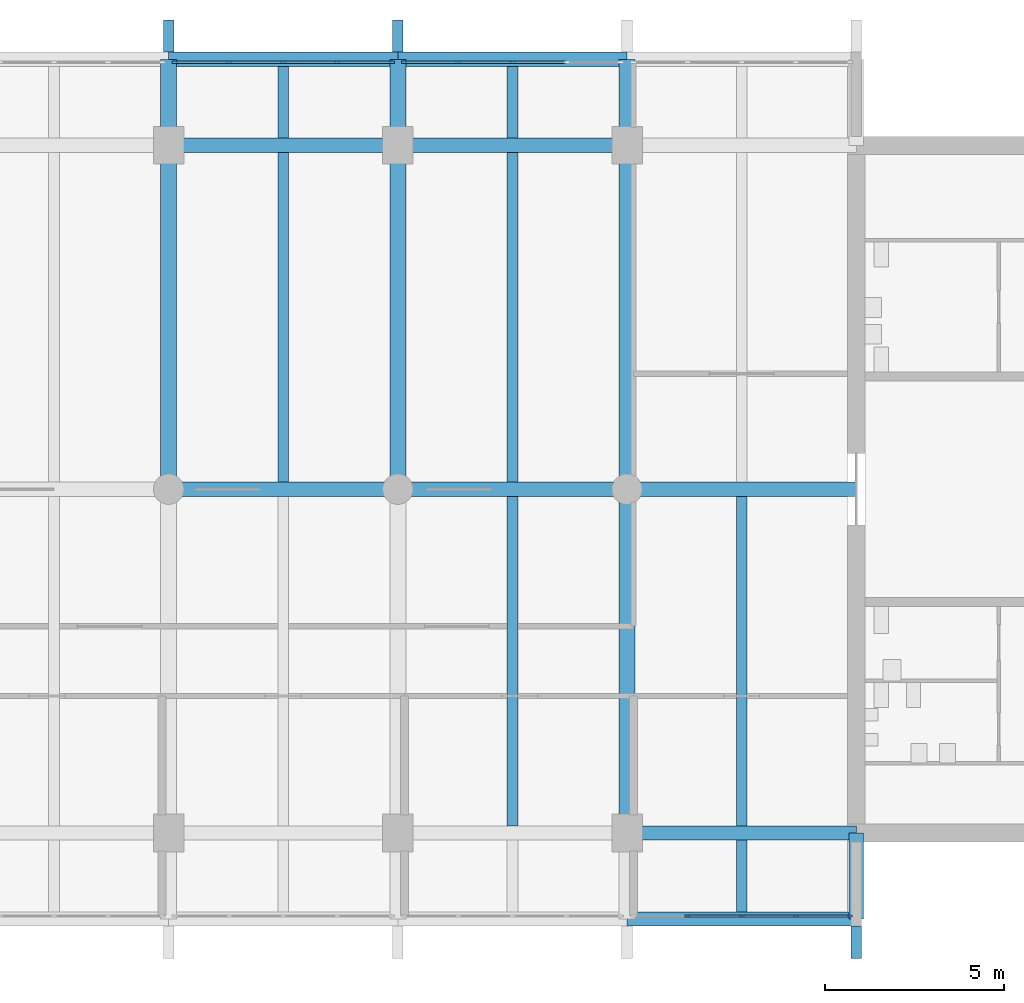
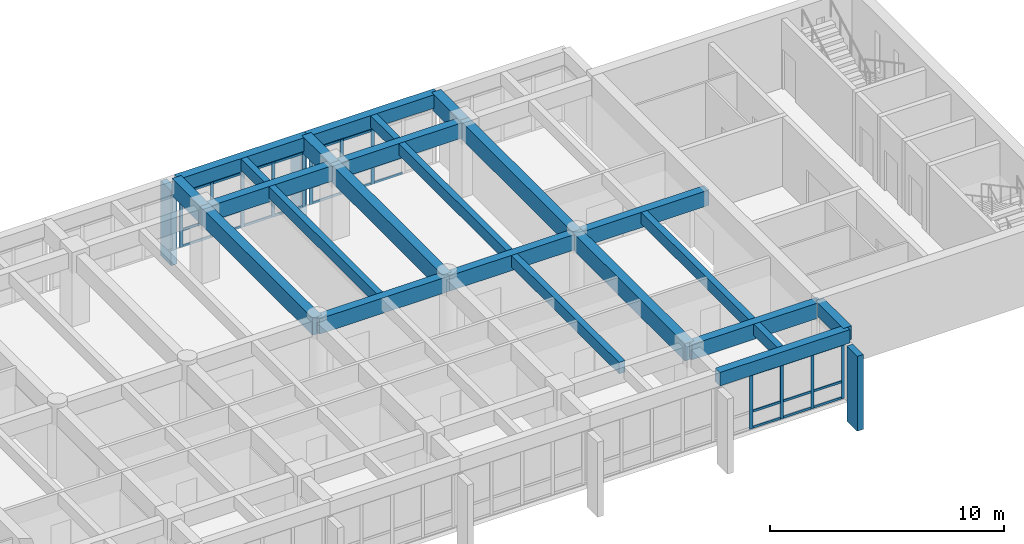
# One storey, part 5 of 15: 44 members, 24 beams, 3 elements without a shape of their own.
"""IFC4 building model written with IfcOpenShell, lengths in metres."""

from ifc_helpers import new_model, si_unit, direction, frame, origin, origin_2d, place, context, subcontext, project, spatial, rectangle, extrude, material, layer, layer_set, material_profile, profile_set, type_object, element, aggregate, save


model = new_model("IFC4")

# Units and contexts
model_context = context("Model", 3, precision=1e-05, world=origin(), true_north=direction((0.0, 1.0)))
body_context = subcontext(model_context, "Body", "Model", "MODEL_VIEW")
ifc_project = project(units=[si_unit("LENGTHUNIT", "METRE"), si_unit("AREAUNIT", "SQUARE_METRE"), si_unit("VOLUMEUNIT", "CUBIC_METRE"), si_unit("PLANEANGLEUNIT", "RADIAN"), si_unit("MASSUNIT", "GRAM", prefix="KILO")], contexts=[model_context])

# Site, building, storey
site_placement = place(None, origin())
site = spatial("IfcSite", under=ifc_project, at=site_placement, CompositionType="ELEMENT")
building_placement = place(site_placement, origin())
building = spatial("IfcBuilding", under=site, at=building_placement, Name="Fogon Plaza Fire Station and Headquarters Tower", CompositionType="ELEMENT")
storey_placement = place(building_placement, frame((0.0, 0.0, 56.10009765625)))
storey = spatial("IfcBuildingStorey", under=building, at=storey_placement, Name="L14", CompositionType="ELEMENT", Elevation=56.10009765625)

# Beams
ifc_material_1 = material(Name="Concrete C40", Category="concrete")
ifc_material_profile_1 = material_profile(ifc_material_1, rectangle(XDim=0.39990234375, YDim=0.699951171875, at=origin_2d()), Name="RC 400x700")
ifc_profile_set_1 = profile_set([ifc_material_profile_1], Name="Concrete C40")
beam_type_1 = type_object("IfcBeamType", Name="BEAM RC 400x700", PredefinedType="BEAM", material=ifc_profile_set_1)
for number, where, z_axis, x_axis, name in (
    (1, (57.60009765625, 31.199951171875, 3.329833984375), (1.0, 0.0, 0.0), (0.0, 1.0, 0.0), "beam-L14-044"),
    (2, (44.800048828125, 55.199951171875, 3.329833984375), (1.0, 0.0, 0.0), (0.0, 1.0, 0.0), "beam-L14-048"),
):
    element("IfcBeam", number, at=place(storey_placement, frame(where, z_axis=z_axis, x_axis=x_axis)), inside=storey, type_object=beam_type_1, Name=name, PredefinedType="BEAM", context=body_context, shape_type="SweptSolid", body=[
        extrude(rectangle(XDim=0.39990234375, YDim=0.699951171875, at=origin_2d()), origin(), (0.0, 0.0, 1.0), 6.39990234375),
    ])
beam_1_placement = place(storey_placement, frame((51.199951171875, 55.199951171875, 3.329833984375), z_axis=(1.0, 0.0, 0.0), x_axis=(0.0, 1.0, 0.0)))
element("IfcBeam", 3, at=beam_1_placement, inside=storey, type_object=beam_type_1, Name="beam-L14-049", PredefinedType="BEAM", context=body_context, shape_type="SweptSolid", body=[
    extrude(rectangle(XDim=0.39990234375, YDim=0.699951171875, at=origin_2d()), origin(), (0.0, 0.0, 1.0), 6.400146484375),
])
ifc_material_2 = material(Name="Concrete C40", Category="concrete")
ifc_material_profile_2 = material_profile(ifc_material_2, rectangle(XDim=0.39990234375, YDim=0.699951171875, at=origin_2d()), Name="RC 400x700")
ifc_profile_set_2 = profile_set([ifc_material_profile_2], Name="Concrete C40")
beam_type_2 = type_object("IfcBeamType", Name="BEAM RC 400x700 SPAN 0.0 TO 3.0 M", PredefinedType="BEAM", material=ifc_profile_set_2)
beam_2_placement = place(storey_placement, frame((64.0, 31.199951171875, 3.329833984375), z_axis=(0.0, 1.0, 0.0), x_axis=(-1.0, 0.0, 0.0)))
element("IfcBeam", 4, at=beam_2_placement, inside=storey, type_object=beam_type_2, Name="beam-L14-053", PredefinedType="BEAM", context=body_context, shape_type="SweptSolid", body=[
    extrude(rectangle(XDim=0.39990234375, YDim=0.699951171875, at=origin_2d()), origin(), (0.0, 0.0, 1.0), 2.400146484375),
])
ifc_material_3 = material(Name="Concrete C40", Category="concrete")
ifc_material_profile_3 = material_profile(ifc_material_3, rectangle(XDim=0.39990234375, YDim=0.800048828125, at=origin_2d()), Name="RC 400x800")
ifc_profile_set_3 = profile_set([ifc_material_profile_3], Name="Concrete C40")
beam_type_3 = type_object("IfcBeamType", Name="BEAM RC 400x800", PredefinedType="BEAM", material=ifc_profile_set_3)
for number, where, z_axis, x_axis, name in (
    (5, (57.60009765625, 33.60009765625, 3.27978515625), (1.0, 0.0, 0.0), (0.0, 1.0, 0.0), "beam-L14-026"),
    (6, (44.800048828125, 43.199951171875, 3.27978515625), (1.0, 0.0, 0.0), (0.0, 1.0, 0.0), "beam-L14-030"),
):
    element("IfcBeam", number, at=place(storey_placement, frame(where, z_axis=z_axis, x_axis=x_axis)), inside=storey, type_object=beam_type_3, Name=name, PredefinedType="BEAM", context=body_context, shape_type="SweptSolid", body=[
        extrude(rectangle(XDim=0.39990234375, YDim=0.800048828125, at=origin_2d()), origin(), (0.0, 0.0, 1.0), 6.39990234375),
    ])
beam_3_placement = place(storey_placement, frame((51.199951171875, 43.199951171875, 3.27978515625), z_axis=(1.0, 0.0, 0.0), x_axis=(0.0, 1.0, 0.0)))
element("IfcBeam", 7, at=beam_3_placement, inside=storey, type_object=beam_type_3, Name="beam-L14-031", PredefinedType="BEAM", context=body_context, shape_type="SweptSolid", body=[
    extrude(rectangle(XDim=0.39990234375, YDim=0.800048828125, at=origin_2d()), origin(), (0.0, 0.0, 1.0), 6.400146484375),
])
for number, where, z_axis, x_axis, name in (
    (8, (57.60009765625, 43.199951171875, 3.27978515625), (1.0, 0.0, 0.0), (0.0, 1.0, 0.0), "beam-L14-032"),
    (9, (44.800048828125, 52.800048828125, 3.27978515625), (1.0, 0.0, 0.0), (0.0, 1.0, 0.0), "beam-L14-036"),
):
    element("IfcBeam", number, at=place(storey_placement, frame(where, z_axis=z_axis, x_axis=x_axis)), inside=storey, type_object=beam_type_3, Name=name, PredefinedType="BEAM", context=body_context, shape_type="SweptSolid", body=[
        extrude(rectangle(XDim=0.39990234375, YDim=0.800048828125, at=origin_2d()), origin(), (0.0, 0.0, 1.0), 6.39990234375),
    ])
beam_4_placement = place(storey_placement, frame((51.199951171875, 52.800048828125, 3.27978515625), z_axis=(1.0, 0.0, 0.0), x_axis=(0.0, 1.0, 0.0)))
element("IfcBeam", 10, at=beam_4_placement, inside=storey, type_object=beam_type_3, Name="beam-L14-037", PredefinedType="BEAM", context=body_context, shape_type="SweptSolid", body=[
    extrude(rectangle(XDim=0.39990234375, YDim=0.800048828125, at=origin_2d()), origin(), (0.0, 0.0, 1.0), 6.400146484375),
])
ifc_material_4 = material(Name="Concrete C40", Category="concrete")
ifc_material_profile_4 = material_profile(ifc_material_4, rectangle(XDim=0.449951171875, YDim=0.89990234375, at=origin_2d()), Name="RC 450x900")
ifc_profile_set_4 = profile_set([ifc_material_profile_4], Name="Concrete C40")
beam_type_4 = type_object("IfcBeamType", Name="BEAM RC 450x900", PredefinedType="BEAM", material=ifc_profile_set_4)
for number, where, z_axis, x_axis, name in (
    (11, (44.800048828125, 43.199951171875, 3.22998046875), (0.0, 1.0, 0.0), (-1.0, 0.0, 0.0), "beam-L14-011"),
    (12, (51.199951171875, 43.199951171875, 3.22998046875), (0.0, 1.0, 0.0), (-1.0, 0.0, 0.0), "beam-L14-015"),
):
    element("IfcBeam", number, at=place(storey_placement, frame(where, z_axis=z_axis, x_axis=x_axis)), inside=storey, type_object=beam_type_4, Name=name, PredefinedType="BEAM", context=body_context, shape_type="SweptSolid", body=[
        extrude(rectangle(XDim=0.449951171875, YDim=0.89990234375, at=origin_2d()), origin(), (0.0, 0.0, 1.0), 9.60009765625),
    ])
beam_5_placement = place(storey_placement, frame((57.60009765625, 33.60009765625, 3.22998046875), z_axis=(0.0, 1.0, 0.0), x_axis=(-1.0, 0.0, 0.0)))
element("IfcBeam", 13, at=beam_5_placement, inside=storey, type_object=beam_type_4, Name="beam-L14-018", PredefinedType="BEAM", context=body_context, shape_type="SweptSolid", body=[
    extrude(rectangle(XDim=0.449951171875, YDim=0.89990234375, at=origin_2d()), origin(), (0.0, 0.0, 1.0), 9.599853515625),
])
beam_6_placement = place(storey_placement, frame((57.60009765625, 43.199951171875, 3.22998046875), z_axis=(0.0, 1.0, 0.0), x_axis=(-1.0, 0.0, 0.0)))
element("IfcBeam", 14, at=beam_6_placement, inside=storey, type_object=beam_type_4, Name="beam-L14-019", PredefinedType="BEAM", context=body_context, shape_type="SweptSolid", body=[
    extrude(rectangle(XDim=0.449951171875, YDim=0.89990234375, at=origin_2d()), origin(), (0.0, 0.0, 1.0), 9.60009765625),
])
ifc_material_5 = material(Name="Concrete C40", Category="concrete")
ifc_material_profile_5 = material_profile(ifc_material_5, rectangle(XDim=0.449951171875, YDim=0.89990234375, at=origin_2d()), Name="RC 450x900")
ifc_profile_set_5 = profile_set([ifc_material_profile_5], Name="Concrete C40")
beam_type_5 = type_object("IfcBeamType", Name="BEAM RC 450x900 SPAN 0.0 TO 3.0 M", PredefinedType="BEAM", material=ifc_profile_set_5)
for number, where, z_axis, x_axis, name in (
    (15, (44.800048828125, 52.800048828125, 3.22998046875), (0.0, 1.0, 0.0), (-1.0, 0.0, 0.0), "beam-L14-012"),
    (16, (51.199951171875, 52.800048828125, 3.22998046875), (0.0, 1.0, 0.0), (-1.0, 0.0, 0.0), "beam-L14-016"),
    (17, (57.60009765625, 52.800048828125, 3.22998046875), (0.0, 1.0, 0.0), (-1.0, 0.0, 0.0), "beam-L14-020"),
):
    element("IfcBeam", number, at=place(storey_placement, frame(where, z_axis=z_axis, x_axis=x_axis)), inside=storey, type_object=beam_type_5, Name=name, PredefinedType="BEAM", context=body_context, shape_type="SweptSolid", body=[
        extrude(rectangle(XDim=0.449951171875, YDim=0.89990234375, at=origin_2d()), origin(), (0.0, 0.0, 1.0), 2.39990234375),
    ])

# Curtain wall, members
ifc_material_6 = material(Name="Aluminium and glass", Category="aluminium")
ifc_layer = layer(ifc_material_6, 0.14990234375)
ifc_layer_set = layer_set([ifc_layer], Name="Aluminium and glass")
curtain_wall_type = type_object("IfcCurtainWallType", Name="Unitised Curtain Wall Run 6100x2880", PredefinedType="NOTDEFINED", material=ifc_layer_set)
curtain_wall_1_placement = place(storey_placement, origin())
curtain_wall_1 = element("IfcCurtainWall", 18, at=curtain_wall_1_placement, inside=storey, type_object=curtain_wall_type, Name="CW-6100x2880 S6 L14", PredefinedType="NOTDEFINED")
ifc_material_7 = material(Name="Aluminium", Category="aluminium")
ifc_material_profile_6 = material_profile(ifc_material_7, rectangle(XDim=0.06005859375, YDim=0.159912109375, at=origin_2d()), Name="Curtain Wall Mullion 60x160")
ifc_profile_set_6 = profile_set([ifc_material_profile_6], Name="Aluminium")
member_type_1 = type_object("IfcMemberType", Name="Curtain Wall Mullion 60x160", PredefinedType="MULLION", material=ifc_profile_set_6)
member_1_placement = place(storey_placement, frame((59.2900390625, 31.280029296875, 0.0), z_axis=(0.0, 0.0, 1.0), x_axis=(0.0, 1.0, 0.0)))
member_1 = element("IfcMember", 19, at=member_1_placement, type_object=member_type_1, Name="CW-6100x2880 mullion 2", PredefinedType="MULLION", context=body_context, shape_type="SweptSolid", body=[
    extrude(rectangle(XDim=0.06005859375, YDim=0.159912109375, at=origin_2d()), origin(), (0.0, 0.0, 1.0), 2.8798828125),
])
member_2_placement = place(storey_placement, frame((60.800048828125, 31.280029296875, 0.0), z_axis=(0.0, 0.0, 1.0), x_axis=(0.0, 1.0, 0.0)))
member_2 = element("IfcMember", 20, at=member_2_placement, type_object=member_type_1, Name="CW-6100x2880 mullion 3", PredefinedType="MULLION", context=body_context, shape_type="SweptSolid", body=[
    extrude(rectangle(XDim=0.06005859375, YDim=0.159912109375, at=origin_2d()), origin(), (0.0, 0.0, 1.0), 2.8798828125),
])
member_3_placement = place(storey_placement, frame((62.31005859375, 31.280029296875, 0.0), z_axis=(0.0, 0.0, 1.0), x_axis=(0.0, 1.0, 0.0)))
member_3 = element("IfcMember", 21, at=member_3_placement, type_object=member_type_1, Name="CW-6100x2880 mullion 4", PredefinedType="MULLION", context=body_context, shape_type="SweptSolid", body=[
    extrude(rectangle(XDim=0.06005859375, YDim=0.159912109375, at=origin_2d()), origin(), (0.0, 0.0, 1.0), 2.8798828125),
])
member_4_placement = place(storey_placement, frame((63.820068359375, 31.280029296875, 0.0), z_axis=(0.0, 0.0, 1.0), x_axis=(0.0, 1.0, 0.0)))
member_4 = element("IfcMember", 22, at=member_4_placement, type_object=member_type_1, Name="CW-6100x2880 mullion 5", PredefinedType="MULLION", context=body_context, shape_type="SweptSolid", body=[
    extrude(rectangle(XDim=0.06005859375, YDim=0.159912109375, at=origin_2d()), origin(), (0.0, 0.0, 1.0), 2.8798828125),
])

curtain_wall_2_placement = place(storey_placement, origin())
curtain_wall_2 = element("IfcCurtainWall", 23, at=curtain_wall_2_placement, inside=storey, type_object=curtain_wall_type, Name="CW-6100x2880 N4 L14", PredefinedType="NOTDEFINED")
member_5_placement = place(storey_placement, frame((44.97998046875, 55.1201171875, 0.0), z_axis=(0.0, 0.0, 1.0), x_axis=(0.0, 1.0, 0.0)))
member_5 = element("IfcMember", 24, at=member_5_placement, type_object=member_type_1, Name="CW-6100x2880 mullion 1", PredefinedType="MULLION", context=body_context, shape_type="SweptSolid", body=[
    extrude(rectangle(XDim=0.06005859375, YDim=0.159912109375, at=origin_2d()), origin(), (0.0, 0.0, 1.0), 2.8798828125),
])
member_6_placement = place(storey_placement, frame((46.489990234375, 55.1201171875, 0.0), z_axis=(0.0, 0.0, 1.0), x_axis=(0.0, 1.0, 0.0)))
member_6 = element("IfcMember", 25, at=member_6_placement, type_object=member_type_1, Name="CW-6100x2880 mullion 2", PredefinedType="MULLION", context=body_context, shape_type="SweptSolid", body=[
    extrude(rectangle(XDim=0.06005859375, YDim=0.159912109375, at=origin_2d()), origin(), (0.0, 0.0, 1.0), 2.8798828125),
])
member_7_placement = place(storey_placement, frame((48.0, 55.1201171875, 0.0), z_axis=(0.0, 0.0, 1.0), x_axis=(0.0, 1.0, 0.0)))
member_7 = element("IfcMember", 26, at=member_7_placement, type_object=member_type_1, Name="CW-6100x2880 mullion 3", PredefinedType="MULLION", context=body_context, shape_type="SweptSolid", body=[
    extrude(rectangle(XDim=0.06005859375, YDim=0.159912109375, at=origin_2d()), origin(), (0.0, 0.0, 1.0), 2.8798828125),
])
member_8_placement = place(storey_placement, frame((49.510009765625, 55.1201171875, 0.0), z_axis=(0.0, 0.0, 1.0), x_axis=(0.0, 1.0, 0.0)))
member_8 = element("IfcMember", 27, at=member_8_placement, type_object=member_type_1, Name="CW-6100x2880 mullion 4", PredefinedType="MULLION", context=body_context, shape_type="SweptSolid", body=[
    extrude(rectangle(XDim=0.06005859375, YDim=0.159912109375, at=origin_2d()), origin(), (0.0, 0.0, 1.0), 2.8798828125),
])
member_9_placement = place(storey_placement, frame((51.02001953125, 55.1201171875, 0.0), z_axis=(0.0, 0.0, 1.0), x_axis=(0.0, 1.0, 0.0)))
member_9 = element("IfcMember", 28, at=member_9_placement, type_object=member_type_1, Name="CW-6100x2880 mullion 5", PredefinedType="MULLION", context=body_context, shape_type="SweptSolid", body=[
    extrude(rectangle(XDim=0.06005859375, YDim=0.159912109375, at=origin_2d()), origin(), (0.0, 0.0, 1.0), 2.8798828125),
])

curtain_wall_3_placement = place(storey_placement, origin())
curtain_wall_3 = element("IfcCurtainWall", 29, at=curtain_wall_3_placement, inside=storey, type_object=curtain_wall_type, Name="CW-6100x2880 N5 L14", PredefinedType="NOTDEFINED")
member_10_placement = place(storey_placement, frame((51.3798828125, 55.1201171875, 0.0), z_axis=(0.0, 0.0, 1.0), x_axis=(0.0, 1.0, 0.0)))
member_10 = element("IfcMember", 30, at=member_10_placement, type_object=member_type_1, Name="CW-6100x2880 mullion 1", PredefinedType="MULLION", context=body_context, shape_type="SweptSolid", body=[
    extrude(rectangle(XDim=0.06005859375, YDim=0.159912109375, at=origin_2d()), origin(), (0.0, 0.0, 1.0), 2.8798828125),
])
member_11_placement = place(storey_placement, frame((52.889892578125, 55.1201171875, 0.0), z_axis=(0.0, 0.0, 1.0), x_axis=(0.0, 1.0, 0.0)))
member_11 = element("IfcMember", 31, at=member_11_placement, type_object=member_type_1, Name="CW-6100x2880 mullion 2", PredefinedType="MULLION", context=body_context, shape_type="SweptSolid", body=[
    extrude(rectangle(XDim=0.06005859375, YDim=0.159912109375, at=origin_2d()), origin(), (0.0, 0.0, 1.0), 2.8798828125),
])
member_12_placement = place(storey_placement, frame((54.39990234375, 55.1201171875, 0.0), z_axis=(0.0, 0.0, 1.0), x_axis=(0.0, 1.0, 0.0)))
member_12 = element("IfcMember", 32, at=member_12_placement, type_object=member_type_1, Name="CW-6100x2880 mullion 3", PredefinedType="MULLION", context=body_context, shape_type="SweptSolid", body=[
    extrude(rectangle(XDim=0.06005859375, YDim=0.159912109375, at=origin_2d()), origin(), (0.0, 0.0, 1.0), 2.8798828125),
])

# Member
ifc_material_8 = material(Name="Aluminium", Category="aluminium")
ifc_material_profile_7 = material_profile(ifc_material_8, rectangle(XDim=0.06005859375, YDim=0.1201171875, at=origin_2d()), Name="Curtain Wall Transom 60x120")
ifc_profile_set_7 = profile_set([ifc_material_profile_7], Name="Aluminium")
member_type_2 = type_object("IfcMemberType", Name="Curtain Wall Transom 60x120", PredefinedType="USERDEFINED", material=ifc_profile_set_7)
member_13_placement = place(storey_placement, frame((59.320068359375, 31.280029296875, 0.059814453125), z_axis=(1.0, 0.0, 0.0), x_axis=(0.0, 1.0, 0.0)))
member_13 = element("IfcMember", 33, at=member_13_placement, type_object=member_type_2, Name="CW-6100x2880 transom 2.1", ObjectType="TRANSOM", PredefinedType="USERDEFINED", context=body_context, shape_type="SweptSolid", body=[
    extrude(rectangle(XDim=0.06005859375, YDim=0.1201171875, at=origin_2d()), origin(), (0.0, 0.0, 1.0), 1.449951171875),
])

member_14_placement = place(storey_placement, frame((59.320068359375, 31.280029296875, 0.89990234375), z_axis=(1.0, 0.0, 0.0), x_axis=(0.0, 1.0, 0.0)))
member_14 = element("IfcMember", 34, at=member_14_placement, type_object=member_type_2, Name="CW-6100x2880 transom 2.2", ObjectType="TRANSOM", PredefinedType="USERDEFINED", context=body_context, shape_type="SweptSolid", body=[
    extrude(rectangle(XDim=0.06005859375, YDim=0.1201171875, at=origin_2d()), origin(), (0.0, 0.0, 1.0), 1.449951171875),
])

member_15_placement = place(storey_placement, frame((59.320068359375, 31.280029296875, 2.81982421875), z_axis=(1.0, 0.0, 0.0), x_axis=(0.0, 1.0, 0.0)))
member_15 = element("IfcMember", 35, at=member_15_placement, type_object=member_type_2, Name="CW-6100x2880 transom 2.3", ObjectType="TRANSOM", PredefinedType="USERDEFINED", context=body_context, shape_type="SweptSolid", body=[
    extrude(rectangle(XDim=0.06005859375, YDim=0.1201171875, at=origin_2d()), origin(), (0.0, 0.0, 1.0), 1.449951171875),
])

member_16_placement = place(storey_placement, frame((60.830078125, 31.280029296875, 0.059814453125), z_axis=(1.0, 0.0, 0.0), x_axis=(0.0, 1.0, 0.0)))
member_16 = element("IfcMember", 36, at=member_16_placement, type_object=member_type_2, Name="CW-6100x2880 transom 3.1", ObjectType="TRANSOM", PredefinedType="USERDEFINED", context=body_context, shape_type="SweptSolid", body=[
    extrude(rectangle(XDim=0.06005859375, YDim=0.1201171875, at=origin_2d()), origin(), (0.0, 0.0, 1.0), 1.449951171875),
])

member_17_placement = place(storey_placement, frame((60.830078125, 31.280029296875, 0.89990234375), z_axis=(1.0, 0.0, 0.0), x_axis=(0.0, 1.0, 0.0)))
member_17 = element("IfcMember", 37, at=member_17_placement, type_object=member_type_2, Name="CW-6100x2880 transom 3.2", ObjectType="TRANSOM", PredefinedType="USERDEFINED", context=body_context, shape_type="SweptSolid", body=[
    extrude(rectangle(XDim=0.06005859375, YDim=0.1201171875, at=origin_2d()), origin(), (0.0, 0.0, 1.0), 1.449951171875),
])

member_18_placement = place(storey_placement, frame((60.830078125, 31.280029296875, 2.81982421875), z_axis=(1.0, 0.0, 0.0), x_axis=(0.0, 1.0, 0.0)))
member_18 = element("IfcMember", 38, at=member_18_placement, type_object=member_type_2, Name="CW-6100x2880 transom 3.3", ObjectType="TRANSOM", PredefinedType="USERDEFINED", context=body_context, shape_type="SweptSolid", body=[
    extrude(rectangle(XDim=0.06005859375, YDim=0.1201171875, at=origin_2d()), origin(), (0.0, 0.0, 1.0), 1.449951171875),
])

member_19_placement = place(storey_placement, frame((62.340087890625, 31.280029296875, 0.059814453125), z_axis=(1.0, 0.0, 0.0), x_axis=(0.0, 1.0, 0.0)))
member_19 = element("IfcMember", 39, at=member_19_placement, type_object=member_type_2, Name="CW-6100x2880 transom 4.1", ObjectType="TRANSOM", PredefinedType="USERDEFINED", context=body_context, shape_type="SweptSolid", body=[
    extrude(rectangle(XDim=0.06005859375, YDim=0.1201171875, at=origin_2d()), origin(), (0.0, 0.0, 1.0), 1.449951171875),
])

member_20_placement = place(storey_placement, frame((62.340087890625, 31.280029296875, 0.89990234375), z_axis=(1.0, 0.0, 0.0), x_axis=(0.0, 1.0, 0.0)))
member_20 = element("IfcMember", 40, at=member_20_placement, type_object=member_type_2, Name="CW-6100x2880 transom 4.2", ObjectType="TRANSOM", PredefinedType="USERDEFINED", context=body_context, shape_type="SweptSolid", body=[
    extrude(rectangle(XDim=0.06005859375, YDim=0.1201171875, at=origin_2d()), origin(), (0.0, 0.0, 1.0), 1.449951171875),
])

member_21_placement = place(storey_placement, frame((62.340087890625, 31.280029296875, 2.81982421875), z_axis=(1.0, 0.0, 0.0), x_axis=(0.0, 1.0, 0.0)))
member_21 = element("IfcMember", 41, at=member_21_placement, type_object=member_type_2, Name="CW-6100x2880 transom 4.3", ObjectType="TRANSOM", PredefinedType="USERDEFINED", context=body_context, shape_type="SweptSolid", body=[
    extrude(rectangle(XDim=0.06005859375, YDim=0.1201171875, at=origin_2d()), origin(), (0.0, 0.0, 1.0), 1.449951171875),
])

aggregate(curtain_wall_1, [member_1, member_2, member_3, member_4, member_13, member_14, member_15, member_16, member_17, member_18, member_19, member_20, member_21])

member_22_placement = place(storey_placement, frame((45.010009765625, 55.1201171875, 0.059814453125), z_axis=(1.0, 0.0, 0.0), x_axis=(0.0, 1.0, 0.0)))
member_22 = element("IfcMember", 42, at=member_22_placement, type_object=member_type_2, Name="CW-6100x2880 transom 1.1", ObjectType="TRANSOM", PredefinedType="USERDEFINED", context=body_context, shape_type="SweptSolid", body=[
    extrude(rectangle(XDim=0.06005859375, YDim=0.1201171875, at=origin_2d()), origin(), (0.0, 0.0, 1.0), 1.449951171875),
])

member_23_placement = place(storey_placement, frame((45.010009765625, 55.1201171875, 0.89990234375), z_axis=(1.0, 0.0, 0.0), x_axis=(0.0, 1.0, 0.0)))
member_23 = element("IfcMember", 43, at=member_23_placement, type_object=member_type_2, Name="CW-6100x2880 transom 1.2", ObjectType="TRANSOM", PredefinedType="USERDEFINED", context=body_context, shape_type="SweptSolid", body=[
    extrude(rectangle(XDim=0.06005859375, YDim=0.1201171875, at=origin_2d()), origin(), (0.0, 0.0, 1.0), 1.449951171875),
])

member_24_placement = place(storey_placement, frame((45.010009765625, 55.1201171875, 2.81982421875), z_axis=(1.0, 0.0, 0.0), x_axis=(0.0, 1.0, 0.0)))
member_24 = element("IfcMember", 44, at=member_24_placement, type_object=member_type_2, Name="CW-6100x2880 transom 1.3", ObjectType="TRANSOM", PredefinedType="USERDEFINED", context=body_context, shape_type="SweptSolid", body=[
    extrude(rectangle(XDim=0.06005859375, YDim=0.1201171875, at=origin_2d()), origin(), (0.0, 0.0, 1.0), 1.449951171875),
])

member_25_placement = place(storey_placement, frame((46.52001953125, 55.1201171875, 0.059814453125), z_axis=(1.0, 0.0, 0.0), x_axis=(0.0, 1.0, 0.0)))
member_25 = element("IfcMember", 45, at=member_25_placement, type_object=member_type_2, Name="CW-6100x2880 transom 2.1", ObjectType="TRANSOM", PredefinedType="USERDEFINED", context=body_context, shape_type="SweptSolid", body=[
    extrude(rectangle(XDim=0.06005859375, YDim=0.1201171875, at=origin_2d()), origin(), (0.0, 0.0, 1.0), 1.449951171875),
])

member_26_placement = place(storey_placement, frame((46.52001953125, 55.1201171875, 0.89990234375), z_axis=(1.0, 0.0, 0.0), x_axis=(0.0, 1.0, 0.0)))
member_26 = element("IfcMember", 46, at=member_26_placement, type_object=member_type_2, Name="CW-6100x2880 transom 2.2", ObjectType="TRANSOM", PredefinedType="USERDEFINED", context=body_context, shape_type="SweptSolid", body=[
    extrude(rectangle(XDim=0.06005859375, YDim=0.1201171875, at=origin_2d()), origin(), (0.0, 0.0, 1.0), 1.449951171875),
])

member_27_placement = place(storey_placement, frame((46.52001953125, 55.1201171875, 2.81982421875), z_axis=(1.0, 0.0, 0.0), x_axis=(0.0, 1.0, 0.0)))
member_27 = element("IfcMember", 47, at=member_27_placement, type_object=member_type_2, Name="CW-6100x2880 transom 2.3", ObjectType="TRANSOM", PredefinedType="USERDEFINED", context=body_context, shape_type="SweptSolid", body=[
    extrude(rectangle(XDim=0.06005859375, YDim=0.1201171875, at=origin_2d()), origin(), (0.0, 0.0, 1.0), 1.449951171875),
])

member_28_placement = place(storey_placement, frame((48.030029296875, 55.1201171875, 0.059814453125), z_axis=(1.0, 0.0, 0.0), x_axis=(0.0, 1.0, 0.0)))
member_28 = element("IfcMember", 48, at=member_28_placement, type_object=member_type_2, Name="CW-6100x2880 transom 3.1", ObjectType="TRANSOM", PredefinedType="USERDEFINED", context=body_context, shape_type="SweptSolid", body=[
    extrude(rectangle(XDim=0.06005859375, YDim=0.1201171875, at=origin_2d()), origin(), (0.0, 0.0, 1.0), 1.449951171875),
])

member_29_placement = place(storey_placement, frame((48.030029296875, 55.1201171875, 0.89990234375), z_axis=(1.0, 0.0, 0.0), x_axis=(0.0, 1.0, 0.0)))
member_29 = element("IfcMember", 49, at=member_29_placement, type_object=member_type_2, Name="CW-6100x2880 transom 3.2", ObjectType="TRANSOM", PredefinedType="USERDEFINED", context=body_context, shape_type="SweptSolid", body=[
    extrude(rectangle(XDim=0.06005859375, YDim=0.1201171875, at=origin_2d()), origin(), (0.0, 0.0, 1.0), 1.449951171875),
])

member_30_placement = place(storey_placement, frame((48.030029296875, 55.1201171875, 2.81982421875), z_axis=(1.0, 0.0, 0.0), x_axis=(0.0, 1.0, 0.0)))
member_30 = element("IfcMember", 50, at=member_30_placement, type_object=member_type_2, Name="CW-6100x2880 transom 3.3", ObjectType="TRANSOM", PredefinedType="USERDEFINED", context=body_context, shape_type="SweptSolid", body=[
    extrude(rectangle(XDim=0.06005859375, YDim=0.1201171875, at=origin_2d()), origin(), (0.0, 0.0, 1.0), 1.449951171875),
])

member_31_placement = place(storey_placement, frame((49.5400390625, 55.1201171875, 0.059814453125), z_axis=(1.0, 0.0, 0.0), x_axis=(0.0, 1.0, 0.0)))
member_31 = element("IfcMember", 51, at=member_31_placement, type_object=member_type_2, Name="CW-6100x2880 transom 4.1", ObjectType="TRANSOM", PredefinedType="USERDEFINED", context=body_context, shape_type="SweptSolid", body=[
    extrude(rectangle(XDim=0.06005859375, YDim=0.1201171875, at=origin_2d()), origin(), (0.0, 0.0, 1.0), 1.449951171875),
])

member_32_placement = place(storey_placement, frame((49.5400390625, 55.1201171875, 0.89990234375), z_axis=(1.0, 0.0, 0.0), x_axis=(0.0, 1.0, 0.0)))
member_32 = element("IfcMember", 52, at=member_32_placement, type_object=member_type_2, Name="CW-6100x2880 transom 4.2", ObjectType="TRANSOM", PredefinedType="USERDEFINED", context=body_context, shape_type="SweptSolid", body=[
    extrude(rectangle(XDim=0.06005859375, YDim=0.1201171875, at=origin_2d()), origin(), (0.0, 0.0, 1.0), 1.449951171875),
])

member_33_placement = place(storey_placement, frame((49.5400390625, 55.1201171875, 2.81982421875), z_axis=(1.0, 0.0, 0.0), x_axis=(0.0, 1.0, 0.0)))
member_33 = element("IfcMember", 53, at=member_33_placement, type_object=member_type_2, Name="CW-6100x2880 transom 4.3", ObjectType="TRANSOM", PredefinedType="USERDEFINED", context=body_context, shape_type="SweptSolid", body=[
    extrude(rectangle(XDim=0.06005859375, YDim=0.1201171875, at=origin_2d()), origin(), (0.0, 0.0, 1.0), 1.449951171875),
])

aggregate(curtain_wall_2, [member_5, member_6, member_7, member_8, member_9, member_22, member_23, member_24, member_25, member_26, member_27, member_28, member_29, member_30, member_31, member_32, member_33])

member_34_placement = place(storey_placement, frame((51.409912109375, 55.1201171875, 0.059814453125), z_axis=(1.0, 0.0, 0.0), x_axis=(0.0, 1.0, 0.0)))
member_34 = element("IfcMember", 54, at=member_34_placement, type_object=member_type_2, Name="CW-6100x2880 transom 1.1", ObjectType="TRANSOM", PredefinedType="USERDEFINED", context=body_context, shape_type="SweptSolid", body=[
    extrude(rectangle(XDim=0.06005859375, YDim=0.1201171875, at=origin_2d()), origin(), (0.0, 0.0, 1.0), 1.4501953125),
])

member_35_placement = place(storey_placement, frame((51.409912109375, 55.1201171875, 0.89990234375), z_axis=(1.0, 0.0, 0.0), x_axis=(0.0, 1.0, 0.0)))
member_35 = element("IfcMember", 55, at=member_35_placement, type_object=member_type_2, Name="CW-6100x2880 transom 1.2", ObjectType="TRANSOM", PredefinedType="USERDEFINED", context=body_context, shape_type="SweptSolid", body=[
    extrude(rectangle(XDim=0.06005859375, YDim=0.1201171875, at=origin_2d()), origin(), (0.0, 0.0, 1.0), 1.4501953125),
])

member_36_placement = place(storey_placement, frame((51.409912109375, 55.1201171875, 2.81982421875), z_axis=(1.0, 0.0, 0.0), x_axis=(0.0, 1.0, 0.0)))
member_36 = element("IfcMember", 56, at=member_36_placement, type_object=member_type_2, Name="CW-6100x2880 transom 1.3", ObjectType="TRANSOM", PredefinedType="USERDEFINED", context=body_context, shape_type="SweptSolid", body=[
    extrude(rectangle(XDim=0.06005859375, YDim=0.1201171875, at=origin_2d()), origin(), (0.0, 0.0, 1.0), 1.4501953125),
])

member_37_placement = place(storey_placement, frame((52.919921875, 55.1201171875, 0.059814453125), z_axis=(1.0, 0.0, 0.0), x_axis=(0.0, 1.0, 0.0)))
member_37 = element("IfcMember", 57, at=member_37_placement, type_object=member_type_2, Name="CW-6100x2880 transom 2.1", ObjectType="TRANSOM", PredefinedType="USERDEFINED", context=body_context, shape_type="SweptSolid", body=[
    extrude(rectangle(XDim=0.06005859375, YDim=0.1201171875, at=origin_2d()), origin(), (0.0, 0.0, 1.0), 1.4501953125),
])

member_38_placement = place(storey_placement, frame((52.919921875, 55.1201171875, 0.89990234375), z_axis=(1.0, 0.0, 0.0), x_axis=(0.0, 1.0, 0.0)))
member_38 = element("IfcMember", 58, at=member_38_placement, type_object=member_type_2, Name="CW-6100x2880 transom 2.2", ObjectType="TRANSOM", PredefinedType="USERDEFINED", context=body_context, shape_type="SweptSolid", body=[
    extrude(rectangle(XDim=0.06005859375, YDim=0.1201171875, at=origin_2d()), origin(), (0.0, 0.0, 1.0), 1.4501953125),
])

member_39_placement = place(storey_placement, frame((52.919921875, 55.1201171875, 2.81982421875), z_axis=(1.0, 0.0, 0.0), x_axis=(0.0, 1.0, 0.0)))
member_39 = element("IfcMember", 59, at=member_39_placement, type_object=member_type_2, Name="CW-6100x2880 transom 2.3", ObjectType="TRANSOM", PredefinedType="USERDEFINED", context=body_context, shape_type="SweptSolid", body=[
    extrude(rectangle(XDim=0.06005859375, YDim=0.1201171875, at=origin_2d()), origin(), (0.0, 0.0, 1.0), 1.4501953125),
])

member_40_placement = place(storey_placement, frame((54.429931640625, 55.1201171875, 0.059814453125), z_axis=(1.0, 0.0, 0.0), x_axis=(0.0, 1.0, 0.0)))
member_40 = element("IfcMember", 60, at=member_40_placement, type_object=member_type_2, Name="CW-6100x2880 transom 3.1", ObjectType="TRANSOM", PredefinedType="USERDEFINED", context=body_context, shape_type="SweptSolid", body=[
    extrude(rectangle(XDim=0.06005859375, YDim=0.1201171875, at=origin_2d()), origin(), (0.0, 0.0, 1.0), 1.449951171875),
])

member_41_placement = place(storey_placement, frame((54.429931640625, 55.1201171875, 0.89990234375), z_axis=(1.0, 0.0, 0.0), x_axis=(0.0, 1.0, 0.0)))
member_41 = element("IfcMember", 61, at=member_41_placement, type_object=member_type_2, Name="CW-6100x2880 transom 3.2", ObjectType="TRANSOM", PredefinedType="USERDEFINED", context=body_context, shape_type="SweptSolid", body=[
    extrude(rectangle(XDim=0.06005859375, YDim=0.1201171875, at=origin_2d()), origin(), (0.0, 0.0, 1.0), 1.449951171875),
])

aggregate(curtain_wall_3, [member_10, member_11, member_12, member_34, member_35, member_36, member_37, member_38, member_39, member_40, member_41])

# Beams
ifc_material_9 = material(Name="Concrete C40", Category="concrete")
ifc_material_profile_8 = material_profile(ifc_material_9, rectangle(XDim=0.300048828125, YDim=0.60009765625, at=origin_2d()), Name="RC 300x600")
ifc_profile_set_8 = profile_set([ifc_material_profile_8], Name="Concrete C40")
beam_type_6 = type_object("IfcBeamType", Name="JOIST RC 300x600", PredefinedType="JOIST", material=ifc_profile_set_8)
beam_7_placement = place(storey_placement, frame((48.0, 43.39990234375, 3.3798828125), z_axis=(0.0, 1.0, 0.0), x_axis=(-1.0, 0.0, 0.0)))
element("IfcBeam", 62, at=beam_7_placement, inside=storey, type_object=beam_type_6, Name="beam-L14-069", PredefinedType="JOIST", context=body_context, shape_type="SweptSolid", body=[
    extrude(rectangle(XDim=0.300048828125, YDim=0.60009765625, at=origin_2d()), origin(), (0.0, 0.0, 1.0), 9.2001953125),
])
beam_8_placement = place(storey_placement, frame((54.39990234375, 33.800048828125, 3.3798828125), z_axis=(0.0, 1.0, 0.0), x_axis=(-1.0, 0.0, 0.0)))
element("IfcBeam", 63, at=beam_8_placement, inside=storey, type_object=beam_type_6, Name="beam-L14-072", PredefinedType="JOIST", context=body_context, shape_type="SweptSolid", body=[
    extrude(rectangle(XDim=0.300048828125, YDim=0.60009765625, at=origin_2d()), origin(), (0.0, 0.0, 1.0), 9.199951171875),
])
beam_9_placement = place(storey_placement, frame((54.39990234375, 43.39990234375, 3.3798828125), z_axis=(0.0, 1.0, 0.0), x_axis=(-1.0, 0.0, 0.0)))
element("IfcBeam", 64, at=beam_9_placement, inside=storey, type_object=beam_type_6, Name="beam-L14-073", PredefinedType="JOIST", context=body_context, shape_type="SweptSolid", body=[
    extrude(rectangle(XDim=0.300048828125, YDim=0.60009765625, at=origin_2d()), origin(), (0.0, 0.0, 1.0), 9.2001953125),
])
beam_10_placement = place(storey_placement, frame((60.800048828125, 33.800048828125, 3.3798828125), z_axis=(0.0, 1.0, 0.0), x_axis=(-1.0, 0.0, 0.0)))
element("IfcBeam", 65, at=beam_10_placement, inside=storey, type_object=beam_type_6, Name="beam-L14-076", PredefinedType="JOIST", context=body_context, shape_type="SweptSolid", body=[
    extrude(rectangle(XDim=0.300048828125, YDim=0.60009765625, at=origin_2d()), origin(), (0.0, 0.0, 1.0), 9.199951171875),
])
ifc_material_10 = material(Name="Concrete C40", Category="concrete")
ifc_material_profile_9 = material_profile(ifc_material_10, rectangle(XDim=0.300048828125, YDim=0.60009765625, at=origin_2d()), Name="RC 300x600")
ifc_profile_set_9 = profile_set([ifc_material_profile_9], Name="Concrete C40")
beam_type_7 = type_object("IfcBeamType", Name="JOIST RC 300x600 SPAN 0.0 TO 3.0 M", PredefinedType="JOIST", material=ifc_profile_set_9)
for number, where, z_axis, x_axis, name in (
    (66, (48.0, 53.0, 3.3798828125), (0.0, 1.0, 0.0), (-1.0, 0.0, 0.0), "beam-L14-070"),
    (67, (54.39990234375, 53.0, 3.3798828125), (0.0, 1.0, 0.0), (-1.0, 0.0, 0.0), "beam-L14-074"),
    (68, (60.800048828125, 31.39990234375, 3.3798828125), (0.0, 1.0, 0.0), (-1.0, 0.0, 0.0), "beam-L14-075"),
):
    element("IfcBeam", number, at=place(storey_placement, frame(where, z_axis=z_axis, x_axis=x_axis)), inside=storey, type_object=beam_type_7, Name=name, PredefinedType="JOIST", context=body_context, shape_type="SweptSolid", body=[
        extrude(rectangle(XDim=0.300048828125, YDim=0.60009765625, at=origin_2d()), origin(), (0.0, 0.0, 1.0), 2.0),
    ])

# Members
ifc_material_11 = material(Name="Concrete C40 precast", Category="concrete")
ifc_material_profile_10 = material_profile(ifc_material_11, rectangle(XDim=0.300048828125, YDim=0.89990234375, at=origin_2d()), Name="Precast Concrete Post 300x900")
ifc_profile_set_10 = profile_set([ifc_material_profile_10], Name="Concrete C40 precast")
member_type_3 = type_object("IfcMemberType", Name="Precast Concrete Post 300x900", PredefinedType="POST", material=ifc_profile_set_10)
for number, where, z_axis, x_axis, name in (
    (69, (64.0, 30.550048828125, -1.02001953125), (0.0, 0.0, 1.0), (1.0, 0.0, 0.0), "Precast Post S L14"),
    (70, (44.800048828125, 55.85009765625, -1.02001953125), (0.0, 0.0, 1.0), (1.0, 0.0, 0.0), "Precast Post N L14"),
    (71, (51.199951171875, 55.85009765625, -1.02001953125), (0.0, 0.0, 1.0), (1.0, 0.0, 0.0), "Precast Post N L14"),
):
    element("IfcMember", number, at=place(storey_placement, frame(where, z_axis=z_axis, x_axis=x_axis)), inside=storey, type_object=member_type_3, Name=name, PredefinedType="POST", context=body_context, shape_type="SweptSolid", body=[
        extrude(rectangle(XDim=0.300048828125, YDim=0.89990234375, at=origin_2d()), origin(), (0.0, 0.0, 1.0), 3.89990234375),
    ])

save(model, "model.ifc")
